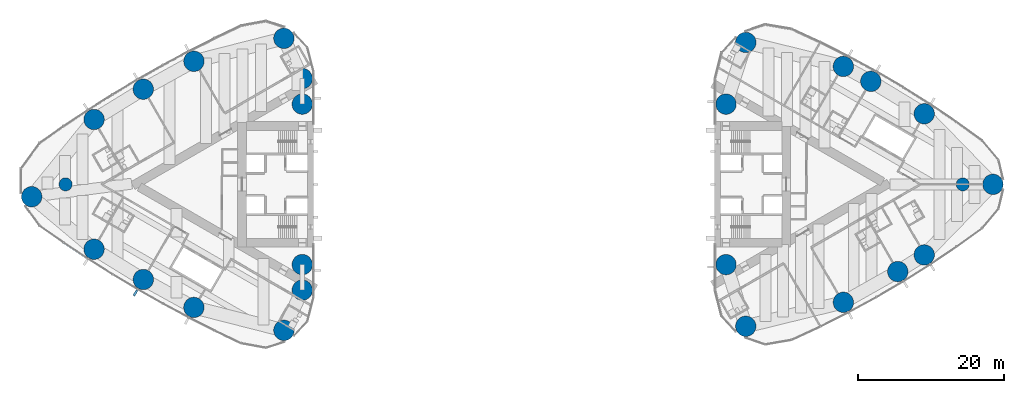
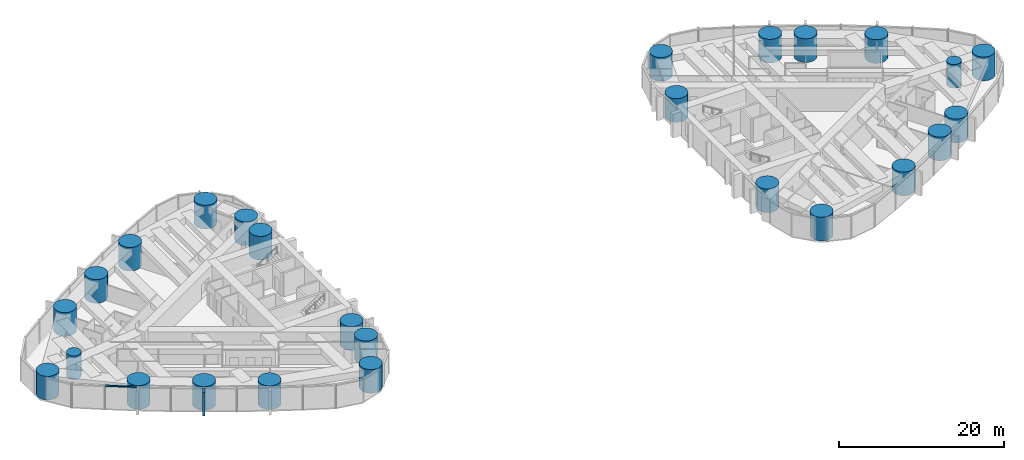
# One storey, part 1 of 18: 26 columns, 2 members, 1 element without a shape of its own.
"""IFC4 building model written with IfcOpenShell, lengths in metres."""

from ifc_helpers import new_model, si_unit, direction, frame, origin, origin_2d, place, context, subcontext, project, spatial, rectangle, circle, extrude, material, material_profile, profile_set, type_object, element, aggregate, save


model = new_model("IFC4")

# Units and contexts
model_context = context("Model", 3, precision=1e-05, world=origin(), true_north=direction((0.0, 1.0)))
body_context = subcontext(model_context, "Body", "Model", "MODEL_VIEW")
ifc_project = project(units=[si_unit("LENGTHUNIT", "METRE"), si_unit("AREAUNIT", "SQUARE_METRE"), si_unit("VOLUMEUNIT", "CUBIC_METRE"), si_unit("PLANEANGLEUNIT", "RADIAN"), si_unit("MASSUNIT", "GRAM", prefix="KILO")], contexts=[model_context])

# Site, building, storey
site_placement = place(None, origin())
site = spatial("IfcSite", under=ifc_project, at=site_placement, CompositionType="ELEMENT")
building_placement = place(site_placement, origin())
building = spatial("IfcBuilding", under=site, at=building_placement, Name="Lancet Gate Hotel", CompositionType="ELEMENT")
storey_placement = place(building_placement, frame((0.0, 0.0, 166.800048828125)))
storey = spatial("IfcBuildingStorey", under=building, at=storey_placement, Name="L44", CompositionType="ELEMENT", Elevation=166.800048828125)

# Columns
ifc_material_1 = material(Name="Concrete C60/75", Category="concrete")
ifc_material_profile_1 = material_profile(ifc_material_1, circle(Radius=0.89990234375, at=origin_2d()), Name="RC D1800")
ifc_profile_set_1 = profile_set([ifc_material_profile_1], Name="Concrete C60/75")
column_type_1 = type_object("IfcColumnType", Name="Apex column RC D1800", PredefinedType="COLUMN", material=ifc_profile_set_1)
for number, where, z_axis, x_axis, name in (
    (1, (-61.5, 0.0, 0.0), (0.0, 0.0, 1.0), (1.0, 0.0, 0.0), "T1 column AX L44"),
    (2, (61.5, 0.0, 0.0), (0.0, 0.0, 1.0), (1.0, 0.0, 0.0), "T2 column AX L44"),
):
    element("IfcColumn", number, at=place(storey_placement, frame(where, z_axis=z_axis, x_axis=x_axis)), inside=storey, type_object=column_type_1, Name=name, PredefinedType="COLUMN", context=body_context, shape_type="SweptSolid", body=[
        extrude(circle(Radius=0.89990234375, at=origin_2d()), origin(), (0.0, 0.0, 1.0), 3.5),
    ])
ifc_material_2 = material(Name="Concrete C60/75", Category="concrete")
ifc_material_profile_2 = material_profile(ifc_material_2, circle(Radius=1.39990234375, at=origin_2d()), Name="RC D2800")
ifc_profile_set_2 = profile_set([ifc_material_profile_2], Name="Concrete C60/75")
column_type_2 = type_object("IfcColumnType", Name="Perimeter column RC D2800", PredefinedType="COLUMN", material=ifc_profile_set_2)
for number, where, z_axis, x_axis, name in (
    (3, (-66.142578125, -1.6953125, 0.0), (0.0, 0.0, 1.0), (1.0, 0.0, 0.0), "T1 column CA L44"),
    (4, (-31.5654296875, -20.015869140625, 0.0), (0.0, 0.0, 1.0), (1.0, 0.0, 0.0), "T1 column CN L44"),
    (5, (-31.5654296875, 20.015869140625, 0.0), (0.0, 0.0, 1.0), (1.0, 0.0, 0.0), "T1 column CS L44"),
    (6, (-29.050048828125, -11.0, 0.0), (0.0, 0.0, 1.0), (1.0, 0.0, 0.0), "T1 column IN L44"),
    (7, (-29.050048828125, 11.0, 0.0), (0.0, 0.0, 1.0), (1.0, 0.0, 0.0), "T1 column IS L44"),
    (8, (-29.050048828125, 14.5, 0.0), (0.0, 0.0, 1.0), (1.0, 0.0, 0.0), "T1 column IT L44"),
    (9, (-29.050048828125, -14.5, 0.0), (0.0, 0.0, 1.0), (1.0, 0.0, 0.0), "T1 column JT L44"),
    (10, (-57.589599609375, -8.89306640625, 0.0), (0.0, 0.0, 1.0), (1.0, 0.0, 0.0), "T1 column ON1 L44"),
    (11, (-50.8388671875, -13.043212890625, 0.0), (0.0, 0.0, 1.0), (1.0, 0.0, 0.0), "T1 column ON2 L44"),
    (12, (-43.900390625, -16.871337890625, 0.0), (0.0, 0.0, 1.0), (1.0, 0.0, 0.0), "T1 column ON3 L44"),
    (13, (-43.900390625, 16.871337890625, 0.0), (0.0, 0.0, 1.0), (1.0, 0.0, 0.0), "T1 column OS1 L44"),
    (14, (-50.8388671875, 13.043212890625, 0.0), (0.0, 0.0, 1.0), (1.0, 0.0, 0.0), "T1 column OS2 L44"),
    (15, (-57.589599609375, 8.89306640625, 0.0), (0.0, 0.0, 1.0), (1.0, 0.0, 0.0), "T1 column OS3 L44"),
    (16, (65.6396484375, 0.0, 0.0), (0.0, 0.0, 1.0), (1.0, 0.0, 0.0), "T2 column CA L44"),
    (17, (31.759765625, 19.455810546875, 0.0), (0.0, 0.0, 1.0), (1.0, 0.0, 0.0), "T2 column CN L44"),
    (18, (31.759765625, -19.455810546875, 0.0), (0.0, 0.0, 1.0), (1.0, 0.0, 0.0), "T2 column CS L44"),
    (19, (29.050048828125, 11.0, 0.0), (0.0, 0.0, 1.0), (1.0, 0.0, 0.0), "T2 column IN L44"),
    (20, (29.050048828125, -11.0, 0.0), (0.0, 0.0, 1.0), (1.0, 0.0, 0.0), "T2 column IS L44"),
    (21, (56.220947265625, 9.67236328125, 0.0), (0.0, 0.0, 1.0), (1.0, 0.0, 0.0), "T2 column ON1 L44"),
    (22, (48.8974609375, 14.12060546875, 0.0), (0.0, 0.0, 1.0), (1.0, 0.0, 0.0), "T2 column ON2 L44"),
    (23, (45.133544921875, 16.16845703125, 0.0), (0.0, 0.0, 1.0), (1.0, 0.0, 0.0), "T2 column ON3 L44"),
    (24, (45.133544921875, -16.16845703125, 0.0), (0.0, 0.0, 1.0), (1.0, 0.0, 0.0), "T2 column OS1 L44"),
    (25, (52.594482421875, -11.95458984375, 0.0), (0.0, 0.0, 1.0), (1.0, 0.0, 0.0), "T2 column OS2 L44"),
    (26, (56.220947265625, -9.67236328125, 0.0), (0.0, 0.0, 1.0), (1.0, 0.0, 0.0), "T2 column OS3 L44"),
):
    element("IfcColumn", number, at=place(storey_placement, frame(where, z_axis=z_axis, x_axis=x_axis)), inside=storey, type_object=column_type_2, Name=name, PredefinedType="COLUMN", context=body_context, shape_type="SweptSolid", body=[
        extrude(circle(Radius=1.39990234375, at=origin_2d()), origin(), (0.0, 0.0, 1.0), 3.5),
    ])

# Curtain wall, members
ifc_material_3 = material(Name="Aluminium curtain wall", Category="aluminium")
curtain_wall_type = type_object("IfcCurtainWallType", Name="Tower unitised curtain wall", PredefinedType="USERDEFINED", material=ifc_material_3)
curtain_wall_placement = place(storey_placement, origin())
curtain_wall = element("IfcCurtainWall", 27, at=curtain_wall_placement, inside=storey, type_object=curtain_wall_type, Name="T1 L44 curtain wall 3", ObjectType="UNITISED CURTAIN WALL", PredefinedType="USERDEFINED")
ifc_material_4 = material(Name="Aluminium transom", Category="aluminium")
ifc_material_profile_3 = material_profile(ifc_material_4, rectangle(XDim=0.25, YDim=0.14990234375, at=origin_2d()), Name="TRANSOM 250x150")
ifc_profile_set_3 = profile_set([ifc_material_profile_3], Name="Aluminium transom")
member_type_1 = type_object("IfcMemberType", Name="Aluminium transom 250x150", PredefinedType="USERDEFINED", material=ifc_profile_set_3)
member_1_placement = place(storey_placement, frame((-61.735595703125, -7.998779296875, 3.425048828125), z_axis=(0.832870509189, -0.553467898729, 0.0), x_axis=(0.553467898729, 0.832870509189, 0.0)))
member_1 = element("IfcMember", 28, at=member_1_placement, type_object=member_type_1, Name="T1 L44 curtain wall 3 transom 3", ObjectType="TRANSOM", PredefinedType="USERDEFINED", context=body_context, shape_type="SweptSolid", body=[
    extrude(rectangle(XDim=0.25, YDim=0.14990234375, at=origin_2d()), origin(), (0.0, 0.0, 1.0), 3.933837890625),
])
ifc_material_5 = material(Name="Precast concrete C50/60", Category="concrete")
ifc_material_profile_4 = material_profile(ifc_material_5, rectangle(XDim=0.300048828125, YDim=0.89990234375, at=origin_2d()), Name="FIN 300x900")
ifc_profile_set_4 = profile_set([ifc_material_profile_4], Name="Precast concrete C50/60")
member_type_2 = type_object("IfcMemberType", Name="Exposed concrete fin 300x900", PredefinedType="USERDEFINED", material=ifc_profile_set_4)
member_2_placement = place(storey_placement, frame((-51.908935546875, -14.879150390625, 0.0), z_axis=(0.0, 0.0, 1.0), x_axis=(0.863968774311, -0.503545387245, 0.0)))
member_2 = element("IfcMember", 29, at=member_2_placement, type_object=member_type_2, Name="T1 L44 curtain wall 3 fin 6", ObjectType="FIN", PredefinedType="USERDEFINED", context=body_context, shape_type="SweptSolid", body=[
    extrude(rectangle(XDim=0.300048828125, YDim=0.89990234375, at=origin_2d()), origin(), (0.0, 0.0, 1.0), 3.5),
])
aggregate(curtain_wall, [member_2, member_1])

save(model, "model.ifc")
